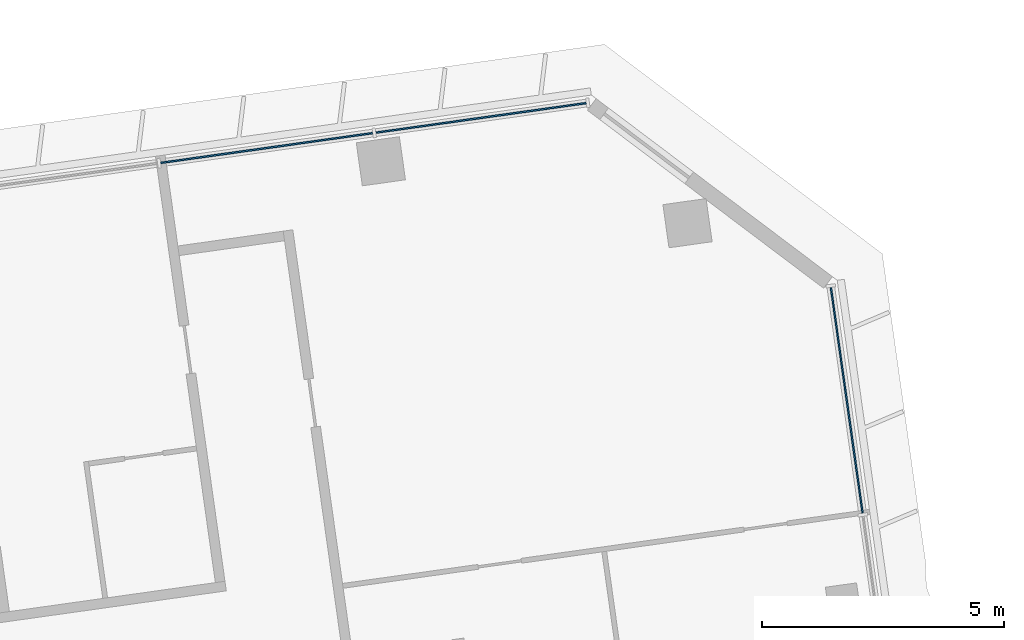
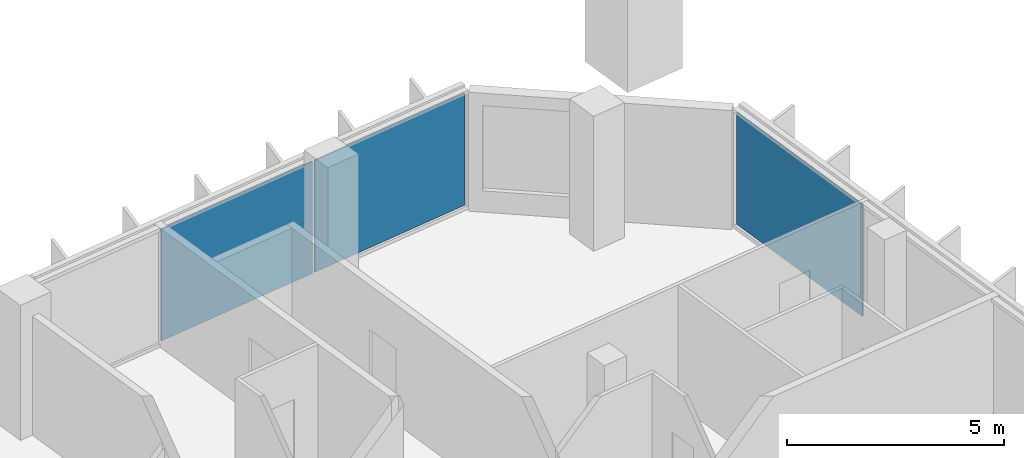
# One storey, part 13 of 25: 3 plates, 2 elements without a shape of their own.
"""IFC4 building model written with IfcOpenShell, lengths in metres."""

from ifc_helpers import new_model, si_unit, direction, frame, origin, origin_2d, place, context, subcontext, project, spatial, rectangle, extrude, material, layer, layer_set, type_object, element, aggregate, save


model = new_model("IFC4")

# Units and contexts
model_context = context("Model", 3, precision=1e-05, world=origin(), true_north=direction((0.0, 1.0)))
body_context = subcontext(model_context, "Body", "Model", "MODEL_VIEW")
ifc_project = project(units=[si_unit("LENGTHUNIT", "METRE"), si_unit("AREAUNIT", "SQUARE_METRE"), si_unit("VOLUMEUNIT", "CUBIC_METRE"), si_unit("PLANEANGLEUNIT", "RADIAN"), si_unit("MASSUNIT", "GRAM", prefix="KILO")], contexts=[model_context])

# Site, building, storey
site_placement = place(None, origin())
site = spatial("IfcSite", under=ifc_project, at=site_placement, CompositionType="ELEMENT")
building_placement = place(site_placement, origin())
building = spatial("IfcBuilding", under=site, at=building_placement, Name="Mirante Cascada Hotel Towers", CompositionType="ELEMENT")
storey_placement = place(building_placement, frame((0.0, 0.0, 129.1)))
storey = spatial("IfcBuildingStorey", under=building, at=storey_placement, Name="L29", CompositionType="ELEMENT", Elevation=129.1)

# Curtain wall, plates
ifc_material_1 = material(Name="Aluminium mullion and transom frame with clear laminated glass", Category="aluminium")
curtain_wall_type_1 = type_object("IfcCurtainWallType", Name="Ribbon curtain wall ECW1", PredefinedType="NOTDEFINED", material=ifc_material_1)
curtain_wall_1_placement = place(storey_placement, origin())
curtain_wall_1 = element("IfcCurtainWall", 1, at=curtain_wall_1_placement, inside=storey, type_object=curtain_wall_type_1, Name="Front ribbon wall T2 L29", PredefinedType="NOTDEFINED")
ifc_material_2 = material(Name="Clear laminated glass", Category="glass")
ifc_layer_1 = layer(ifc_material_2, 0.036)
ifc_layer_set_1 = layer_set([ifc_layer_1], Name="ECW1 glass panel 36")
plate_type_1 = type_object("IfcPlateType", Name="ECW1 glass panel 36", PredefinedType="CURTAIN_PANEL", material=ifc_layer_set_1)
plate_1_placement = place(storey_placement, frame((91.9184, 25.7373, 0.1), z_axis=(0.0, 0.0, 1.0), x_axis=(-0.9902681, -0.1391731, 0.0)))
plate_1 = element("IfcPlate", 2, at=plate_1_placement, type_object=plate_type_1, Name="ECW1 panel 1", PredefinedType="CURTAIN_PANEL", context=body_context, shape_type="SweptSolid", body=[
    extrude(rectangle(XDim=4.3936, YDim=0.036, at=origin_2d()), origin(), (0.0, 0.0, 1.0), 3.15),
])
plate_2_placement = place(storey_placement, frame((87.487, 25.1145, 0.1), z_axis=(0.0, 0.0, 1.0), x_axis=(-0.9902681, -0.1391731, 0.0)))
plate_2 = element("IfcPlate", 3, at=plate_2_placement, type_object=plate_type_1, Name="ECW1 panel 2", PredefinedType="CURTAIN_PANEL", context=body_context, shape_type="SweptSolid", body=[
    extrude(rectangle(XDim=4.4261, YDim=0.036, at=origin_2d()), origin(), (0.0, 0.0, 1.0), 3.15),
])
aggregate(curtain_wall_1, [plate_1, plate_2])

# Curtain wall, plate
ifc_material_3 = material(Name="Aluminium mullion and transom frame with clear laminated glass", Category="aluminium")
curtain_wall_type_2 = type_object("IfcCurtainWallType", Name="End ribbon curtain wall ECW2", PredefinedType="NOTDEFINED", material=ifc_material_3)
curtain_wall_2_placement = place(storey_placement, origin())
curtain_wall_2 = element("IfcCurtainWall", 4, at=curtain_wall_2_placement, inside=storey, type_object=curtain_wall_type_2, Name="Outer end wall T2 L29", PredefinedType="NOTDEFINED")
ifc_material_4 = material(Name="Clear laminated glass", Category="glass")
ifc_layer_2 = layer(ifc_material_4, 0.034)
ifc_layer_set_2 = layer_set([ifc_layer_2], Name="ECW2 glass panel 34")
plate_type_2 = type_object("IfcPlateType", Name="ECW2 glass panel 34", PredefinedType="CURTAIN_PANEL", material=ifc_layer_set_2)
plate_3_placement = place(storey_placement, frame((99.4786, 19.898, 0.1), z_axis=(0.0, 0.0, 1.0), x_axis=(-0.1391731, 0.9902681, 0.0)))
plate_3 = element("IfcPlate", 5, at=plate_3_placement, type_object=plate_type_2, Name="ECW2 panel 6", PredefinedType="CURTAIN_PANEL", context=body_context, shape_type="SweptSolid", body=[
    extrude(rectangle(XDim=4.7151, YDim=0.034, at=origin_2d()), origin(), (0.0, 0.0, 1.0), 3.15),
])
aggregate(curtain_wall_2, [plate_3])

save(model, "model.ifc")
